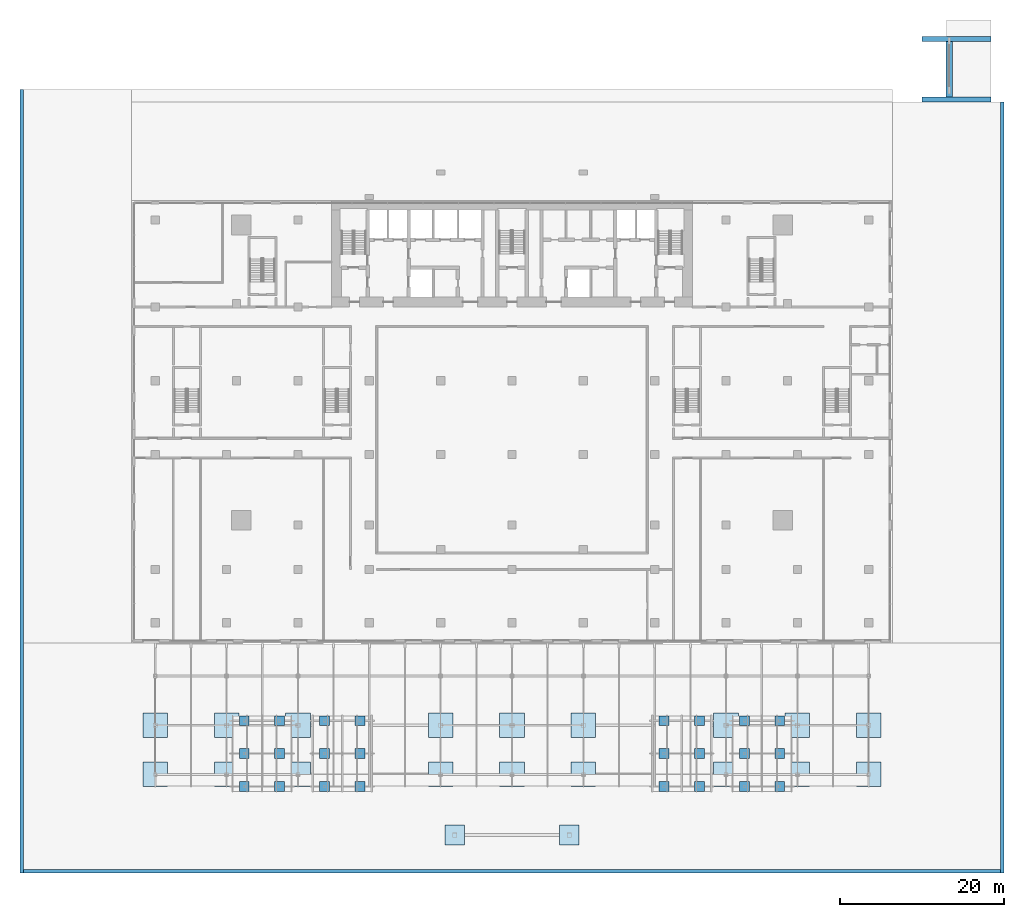
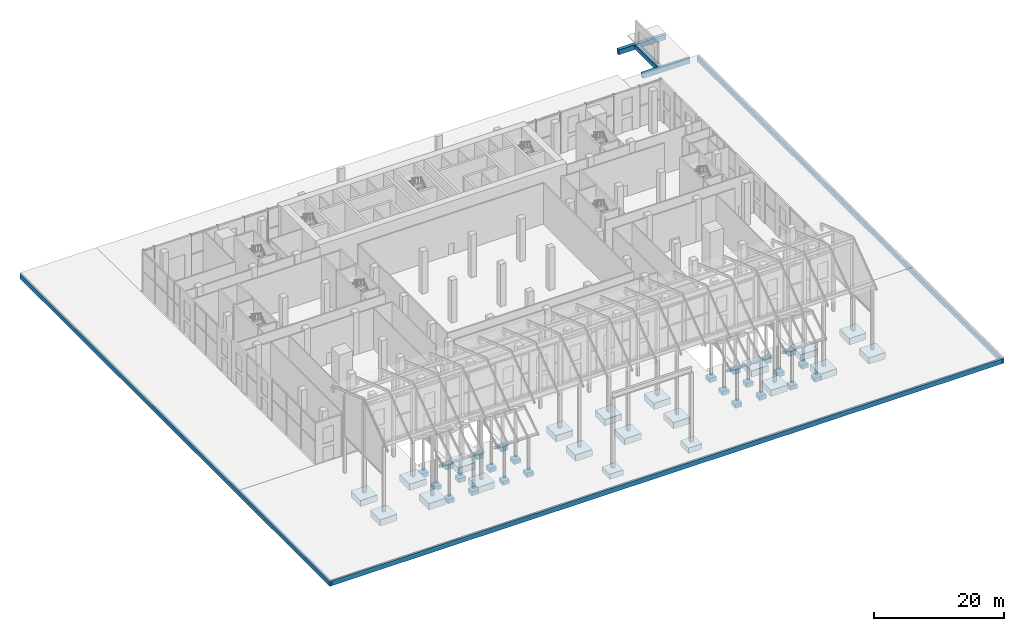
# One storey, part 1 of 31: 50 footings.
"""IFC4 building model written with IfcOpenShell, lengths in metres."""

from ifc_helpers import new_model, si_unit, direction, frame, origin, origin_2d, place, context, subcontext, project, spatial, polyline, rectangle, outline, extrude, material, type_object, element, save


model = new_model("IFC4")

# Units and contexts
model_context = context("Model", 3, precision=1e-05, world=origin(), true_north=direction((0.0, 1.0)))
body_context = subcontext(model_context, "Body", "Model", "MODEL_VIEW")
ifc_project = project(units=[si_unit("LENGTHUNIT", "METRE"), si_unit("AREAUNIT", "SQUARE_METRE"), si_unit("VOLUMEUNIT", "CUBIC_METRE"), si_unit("PLANEANGLEUNIT", "RADIAN"), si_unit("MASSUNIT", "GRAM", prefix="KILO")], contexts=[model_context])

# Site, building, storey
site_placement = place(None, origin())
site = spatial("IfcSite", under=ifc_project, at=site_placement, CompositionType="ELEMENT")
building_placement = place(site_placement, origin())
building = spatial("IfcBuilding", under=site, at=building_placement, Name="Bicima Exchange Tower", CompositionType="ELEMENT")
storey_placement = place(building_placement, origin())
storey = spatial("IfcBuildingStorey", under=building, at=storey_placement, Name="L00", CompositionType="ELEMENT", Elevation=0.0)

# Footings
ifc_material_1 = material(Name="Concrete C40/50", Category="concrete")
footing_type_1 = type_object("IfcFootingType", Name="Pavilion pad footing 1200 x 1200 x 800", PredefinedType="PAD_FOOTING", material=ifc_material_1)
for number, where, z_axis, x_axis, name in (
    (1, (-32.64990234375, -63.4599609375, -1.0), (0.0, 0.0, 1.0), (1.0, 0.0, 0.0), "Pavilion pad footing"),
    (2, (-28.35009765625, -63.4599609375, -1.0), (0.0, 0.0, 1.0), (1.0, 0.0, 0.0), "Pavilion pad footing"),
    (3, (-32.64990234375, -67.4599609375, -1.0), (0.0, 0.0, 1.0), (1.0, 0.0, 0.0), "Pavilion pad footing"),
    (4, (-28.35009765625, -67.4599609375, -1.0), (0.0, 0.0, 1.0), (1.0, 0.0, 0.0), "Pavilion pad footing"),
    (5, (-32.64990234375, -71.4599609375, -1.0), (0.0, 0.0, 1.0), (1.0, 0.0, 0.0), "Pavilion pad footing"),
    (6, (-28.35009765625, -71.4599609375, -1.0), (0.0, 0.0, 1.0), (1.0, 0.0, 0.0), "Pavilion pad footing"),
    (7, (-22.85009765625, -63.4599609375, -1.0), (0.0, 0.0, 1.0), (1.0, 0.0, 0.0), "Pavilion pad footing"),
    (8, (-18.550048828125, -63.4599609375, -1.0), (0.0, 0.0, 1.0), (1.0, 0.0, 0.0), "Pavilion pad footing"),
    (9, (-22.85009765625, -67.4599609375, -1.0), (0.0, 0.0, 1.0), (1.0, 0.0, 0.0), "Pavilion pad footing"),
    (10, (-18.550048828125, -67.4599609375, -1.0), (0.0, 0.0, 1.0), (1.0, 0.0, 0.0), "Pavilion pad footing"),
    (11, (-22.85009765625, -71.4599609375, -1.0), (0.0, 0.0, 1.0), (1.0, 0.0, 0.0), "Pavilion pad footing"),
    (12, (-18.550048828125, -71.4599609375, -1.0), (0.0, 0.0, 1.0), (1.0, 0.0, 0.0), "Pavilion pad footing"),
    (13, (18.550048828125, -63.4599609375, -1.0), (0.0, 0.0, 1.0), (1.0, 0.0, 0.0), "Pavilion pad footing"),
    (14, (22.85009765625, -63.4599609375, -1.0), (0.0, 0.0, 1.0), (1.0, 0.0, 0.0), "Pavilion pad footing"),
    (15, (18.550048828125, -67.4599609375, -1.0), (0.0, 0.0, 1.0), (1.0, 0.0, 0.0), "Pavilion pad footing"),
    (16, (22.85009765625, -67.4599609375, -1.0), (0.0, 0.0, 1.0), (1.0, 0.0, 0.0), "Pavilion pad footing"),
    (17, (18.550048828125, -71.4599609375, -1.0), (0.0, 0.0, 1.0), (1.0, 0.0, 0.0), "Pavilion pad footing"),
    (18, (22.85009765625, -71.4599609375, -1.0), (0.0, 0.0, 1.0), (1.0, 0.0, 0.0), "Pavilion pad footing"),
    (19, (28.35009765625, -63.4599609375, -1.0), (0.0, 0.0, 1.0), (1.0, 0.0, 0.0), "Pavilion pad footing"),
    (20, (32.64990234375, -63.4599609375, -1.0), (0.0, 0.0, 1.0), (1.0, 0.0, 0.0), "Pavilion pad footing"),
    (21, (28.35009765625, -67.4599609375, -1.0), (0.0, 0.0, 1.0), (1.0, 0.0, 0.0), "Pavilion pad footing"),
    (22, (32.64990234375, -67.4599609375, -1.0), (0.0, 0.0, 1.0), (1.0, 0.0, 0.0), "Pavilion pad footing"),
    (23, (28.35009765625, -71.4599609375, -1.0), (0.0, 0.0, 1.0), (1.0, 0.0, 0.0), "Pavilion pad footing"),
    (24, (32.64990234375, -71.4599609375, -1.0), (0.0, 0.0, 1.0), (1.0, 0.0, 0.0), "Pavilion pad footing"),
):
    element("IfcFooting", number, at=place(storey_placement, frame(where, z_axis=z_axis, x_axis=x_axis)), inside=storey, type_object=footing_type_1, Name=name, PredefinedType="PAD_FOOTING", context=body_context, shape_type="SweptSolid", body=[
        extrude(rectangle(XDim=1.199951171875, YDim=1.199951171875, at=origin_2d()), origin(), (0.0, 0.0, 1.0), 0.800048828125),
    ])
ifc_material_2 = material(Name="Concrete C30/37", Category="concrete")
footing_type_2 = type_object("IfcFootingType", Name="Plaza kerb footing 400", PredefinedType="STRIP_FOOTING", material=ifc_material_2)
footing_1_placement = place(storey_placement, frame((0.0, 0.0, -1.10009765625)))
element("IfcFooting", 25, at=footing_1_placement, inside=storey, type_object=footing_type_2, Name="Plaza kerb footing S", PredefinedType="STRIP_FOOTING", context=body_context, shape_type="SweptSolid", body=[
    extrude(outline(polyline([(-59.60009765625, -82.0), (59.60009765625, -82.0), (59.60009765625, -81.60009765625), (-59.60009765625, -81.60009765625), (-59.60009765625, -82.0)])), origin(), (0.0, 0.0, 1.0), 0.900146484375),
])
footing_2_placement = place(storey_placement, frame((0.0, 0.0, -1.10009765625)))
element("IfcFooting", 26, at=footing_2_placement, inside=storey, type_object=footing_type_2, Name="Plaza kerb footing W", PredefinedType="STRIP_FOOTING", context=body_context, shape_type="SweptSolid", body=[
    extrude(outline(polyline([(-60.0, -82.0), (-59.60009765625, -82.0), (-59.60009765625, 13.5), (-60.0, 13.5), (-60.0, -82.0)])), origin(), (0.0, 0.0, 1.0), 0.900146484375),
])
footing_3_placement = place(storey_placement, frame((0.0, 0.0, -1.10009765625)))
element("IfcFooting", 27, at=footing_3_placement, inside=storey, type_object=footing_type_2, Name="Plaza kerb footing E", PredefinedType="STRIP_FOOTING", context=body_context, shape_type="SweptSolid", body=[
    extrude(outline(polyline([(59.60009765625, -82.0), (60.0, -82.0), (60.0, 12.0), (59.60009765625, 12.0), (59.60009765625, -82.0)])), origin(), (0.0, 0.0, 1.0), 0.900146484375),
])
footing_4_placement = place(storey_placement, frame((0.0, 0.0, -1.10009765625)))
element("IfcFooting", 28, at=footing_4_placement, inside=storey, type_object=footing_type_2, Name="Forecourt footing S", PredefinedType="STRIP_FOOTING", context=body_context, shape_type="SweptSolid", body=[
    extrude(outline(polyline([(50.0, 12.0), (58.39990234375, 12.0), (58.39990234375, 12.60009765625), (50.0, 12.60009765625), (50.0, 12.0)])), origin(), (0.0, 0.0, 1.0), 0.900146484375),
])
footing_5_placement = place(storey_placement, frame((0.0, 0.0, -1.10009765625)))
element("IfcFooting", 29, at=footing_5_placement, inside=storey, type_object=footing_type_2, Name="Forecourt footing N", PredefinedType="STRIP_FOOTING", context=body_context, shape_type="SweptSolid", body=[
    extrude(outline(polyline([(50.0, 19.39990234375), (58.39990234375, 19.39990234375), (58.39990234375, 20.0), (50.0, 20.0), (50.0, 19.39990234375)])), origin(), (0.0, 0.0, 1.0), 0.900146484375),
])
footing_6_placement = place(storey_placement, frame((0.0, 0.0, -1.10009765625)))
element("IfcFooting", 30, at=footing_6_placement, inside=storey, type_object=footing_type_2, Name="Forecourt footing G", PredefinedType="STRIP_FOOTING", context=body_context, shape_type="SweptSolid", body=[
    extrude(outline(polyline([(52.89990234375, 12.60009765625), (53.699951171875, 12.60009765625), (53.699951171875, 19.39990234375), (52.89990234375, 19.39990234375), (52.89990234375, 12.60009765625)])), origin(), (0.0, 0.0, 1.0), 0.900146484375),
])
footing_type_3 = type_object("IfcFootingType", Name="Portal pad footing 2400 x 2400 x 1000", PredefinedType="PAD_FOOTING", material=ifc_material_1)
for number, where, z_axis, x_axis, name in (
    (31, (-7.0, -77.39990234375, -1.199951171875), (0.0, 0.0, 1.0), (1.0, 0.0, 0.0), "Portal frame pad footing"),
    (32, (7.0, -77.39990234375, -1.199951171875), (0.0, 0.0, 1.0), (1.0, 0.0, 0.0), "Portal frame pad footing"),
):
    element("IfcFooting", number, at=place(storey_placement, frame(where, z_axis=z_axis, x_axis=x_axis)), inside=storey, type_object=footing_type_3, Name=name, PredefinedType="PAD_FOOTING", context=body_context, shape_type="SweptSolid", body=[
        extrude(rectangle(XDim=2.39990234375, YDim=2.39990234375, at=origin_2d()), origin(), (0.0, 0.0, 1.0), 1.0),
    ])
footing_type_4 = type_object("IfcFootingType", Name="Portico pad footing 3000 x 3000 x 1200", PredefinedType="PAD_FOOTING", material=ifc_material_1)
for number, where, z_axis, x_axis, name in (
    (33, (-43.5, -64.0, -1.39990234375), (0.0, 0.0, 1.0), (1.0, 0.0, 0.0), "Portico pad footing"),
    (34, (-34.800048828125, -64.0, -1.39990234375), (0.0, 0.0, 1.0), (1.0, 0.0, 0.0), "Portico pad footing"),
    (35, (-26.10009765625, -64.0, -1.39990234375), (0.0, 0.0, 1.0), (1.0, 0.0, 0.0), "Portico pad footing"),
    (36, (-8.699951171875, -64.0, -1.39990234375), (0.0, 0.0, 1.0), (1.0, 0.0, 0.0), "Portico pad footing"),
    (37, (0.0, -64.0, -1.39990234375), (0.0, 0.0, 1.0), (1.0, 0.0, 0.0), "Portico pad footing"),
    (38, (8.699951171875, -64.0, -1.39990234375), (0.0, 0.0, 1.0), (1.0, 0.0, 0.0), "Portico pad footing"),
    (39, (26.10009765625, -64.0, -1.39990234375), (0.0, 0.0, 1.0), (1.0, 0.0, 0.0), "Portico pad footing"),
    (40, (34.800048828125, -64.0, -1.39990234375), (0.0, 0.0, 1.0), (1.0, 0.0, 0.0), "Portico pad footing"),
    (41, (43.5, -64.0, -1.39990234375), (0.0, 0.0, 1.0), (1.0, 0.0, 0.0), "Portico pad footing"),
    (42, (-43.5, -70.0, -1.39990234375), (0.0, 0.0, 1.0), (1.0, 0.0, 0.0), "Portico pad footing"),
    (43, (-34.800048828125, -70.0, -1.39990234375), (0.0, 0.0, 1.0), (1.0, 0.0, 0.0), "Portico pad footing"),
    (44, (-26.10009765625, -70.0, -1.39990234375), (0.0, 0.0, 1.0), (1.0, 0.0, 0.0), "Portico pad footing"),
    (45, (-8.699951171875, -70.0, -1.39990234375), (0.0, 0.0, 1.0), (1.0, 0.0, 0.0), "Portico pad footing"),
    (46, (0.0, -70.0, -1.39990234375), (0.0, 0.0, 1.0), (1.0, 0.0, 0.0), "Portico pad footing"),
    (47, (8.699951171875, -70.0, -1.39990234375), (0.0, 0.0, 1.0), (1.0, 0.0, 0.0), "Portico pad footing"),
    (48, (26.10009765625, -70.0, -1.39990234375), (0.0, 0.0, 1.0), (1.0, 0.0, 0.0), "Portico pad footing"),
    (49, (34.800048828125, -70.0, -1.39990234375), (0.0, 0.0, 1.0), (1.0, 0.0, 0.0), "Portico pad footing"),
    (50, (43.5, -70.0, -1.39990234375), (0.0, 0.0, 1.0), (1.0, 0.0, 0.0), "Portico pad footing"),
):
    element("IfcFooting", number, at=place(storey_placement, frame(where, z_axis=z_axis, x_axis=x_axis)), inside=storey, type_object=footing_type_4, Name=name, PredefinedType="PAD_FOOTING", context=body_context, shape_type="SweptSolid", body=[
        extrude(rectangle(XDim=3.0, YDim=3.0, at=origin_2d()), origin(), (0.0, 0.0, 1.0), 1.199951171875),
    ])

save(model, "model.ifc")
